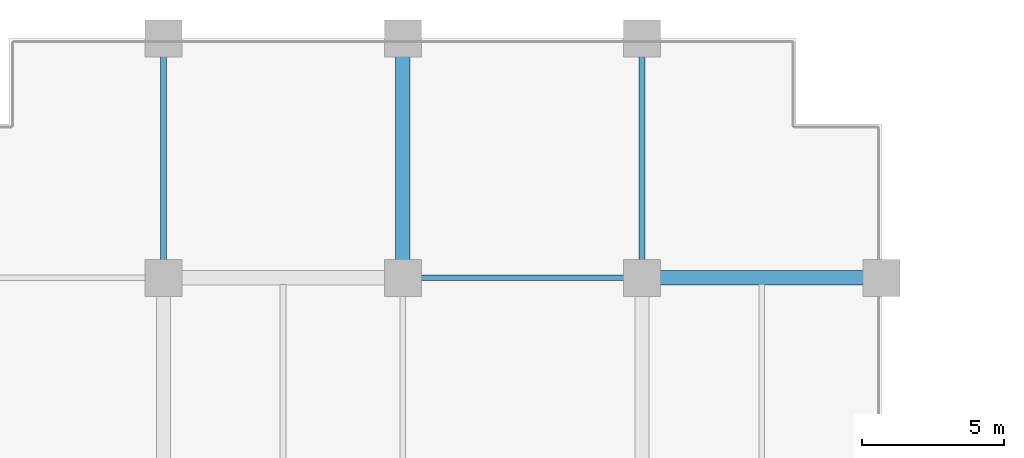
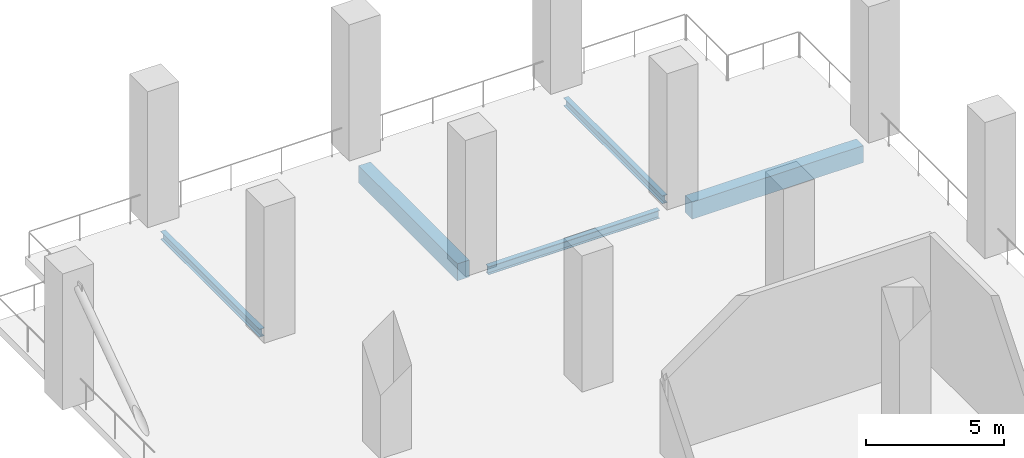
# One storey, part 3 of 19: 5 beams.
"""IFC4 building model written with IfcOpenShell, lengths in metres."""

from ifc_helpers import new_model, si_unit, direction, frame, origin, origin_2d, place, context, subcontext, project, spatial, rectangle, i_section, extrude, material, material_profile, profile_set, type_object, element, save


model = new_model("IFC4")

# Units and contexts
model_context = context("Model", 3, precision=1e-05, world=origin(), true_north=direction((0.0, 1.0)))
body_context = subcontext(model_context, "Body", "Model", "MODEL_VIEW")
ifc_project = project(units=[si_unit("LENGTHUNIT", "METRE"), si_unit("AREAUNIT", "SQUARE_METRE"), si_unit("VOLUMEUNIT", "CUBIC_METRE"), si_unit("PLANEANGLEUNIT", "RADIAN"), si_unit("MASSUNIT", "GRAM", prefix="KILO")], contexts=[model_context])

# Site, building, storey
site_placement = place(None, origin())
site = spatial("IfcSite", under=ifc_project, at=site_placement, CompositionType="ELEMENT")
building_placement = place(site_placement, origin())
building = spatial("IfcBuilding", under=site, at=building_placement, Name="Koriwani Terraces Tower", CompositionType="ELEMENT")
storey_placement = place(building_placement, frame((0.0, 0.0, 94.0)))
storey = spatial("IfcBuildingStorey", under=building, at=storey_placement, Name="L22", CompositionType="ELEMENT", Elevation=94.0)

# Beams
ifc_material_1 = material(Name="Concrete C50/60", Category="concrete")
ifc_material_profile_1 = material_profile(ifc_material_1, rectangle(XDim=0.5, YDim=0.75, at=origin_2d()), Name="Concrete C50/60", Category="LoadBearing")
ifc_profile_set_1 = profile_set([ifc_material_profile_1], Name="Concrete C50/60")
beam_type_1 = type_object("IfcBeamType", Name="BEAM_RC_GRID_500X750", PredefinedType="BEAM", material=ifc_profile_set_1)
beam_1_placement = place(storey_placement, frame((25.830078125, 84.0, -0.72509765625), z_axis=(1.0, 0.0, 0.0), x_axis=(0.0, 1.0, 0.0)))
element("IfcBeam", 1, at=beam_1_placement, inside=storey, type_object=beam_type_1, Name="L22 Grid Beam K (25.2-33.6m)", PredefinedType="BEAM", context=body_context, shape_type="SweptSolid", body=[
    extrude(rectangle(XDim=0.5, YDim=0.75, at=origin_2d()), origin(), (0.0, 0.0, 1.0), 7.139892578125),
])
beam_2_placement = place(storey_placement, frame((16.800048828125, 84.6298828125, -0.72509765625), z_axis=(0.0, 1.0, 0.0), x_axis=(-1.0, 0.0, 0.0)))
element("IfcBeam", 2, at=beam_2_placement, inside=storey, type_object=beam_type_1, Name="L22 Grid Beam 3 (84.0-92.4m)", PredefinedType="BEAM", context=body_context, shape_type="SweptSolid", body=[
    extrude(rectangle(XDim=0.5, YDim=0.75, at=origin_2d()), origin(), (0.0, 0.0, 1.0), 7.14013671875),
])
ifc_material_2 = material(Name="Steel ASTM A572 Grade 50", Category="steel")
ifc_material_profile_2 = material_profile(ifc_material_2, i_section(OverallWidth=0.205078125, OverallDepth=0.35400390625, WebThickness=0.009521484375, FlangeThickness=0.016845703125, at=origin_2d()), Name="Steel ASTM A572 Grade 50", Category="LoadBearing")
ifc_profile_set_2 = profile_set([ifc_material_profile_2], Name="Steel ASTM A572 Grade 50")
beam_type_2 = type_object("IfcBeamType", Name="STEEL_BEAM_W360X79", PredefinedType="JOIST", material=ifc_profile_set_2)
for number, where, z_axis, x_axis, name in (
    (3, (17.429931640625, 84.0, -0.527099609375), (1.0, 0.0, 0.0), (0.0, 1.0, 0.0), "L22 Grid Beam K (16.8-25.2m)"),
    (4, (8.39990234375, 84.6298828125, -0.527099609375), (0.0, 1.0, 0.0), (-1.0, 0.0, 0.0), "L22 Grid Beam 2 (84.0-92.4m)"),
    (5, (25.199951171875, 84.6298828125, -0.527099609375), (0.0, 1.0, 0.0), (-1.0, 0.0, 0.0), "L22 Grid Beam 4 (84.0-92.4m)"),
):
    element("IfcBeam", number, at=place(storey_placement, frame(where, z_axis=z_axis, x_axis=x_axis)), inside=storey, type_object=beam_type_2, Name=name, PredefinedType="JOIST", context=body_context, shape_type="SweptSolid", body=[
        extrude(i_section(OverallWidth=0.205078125, OverallDepth=0.35400390625, WebThickness=0.009521484375, FlangeThickness=0.016845703125, at=origin_2d()), origin(), (0.0, 0.0, 1.0), 7.14013671875),
    ])

save(model, "model.ifc")
